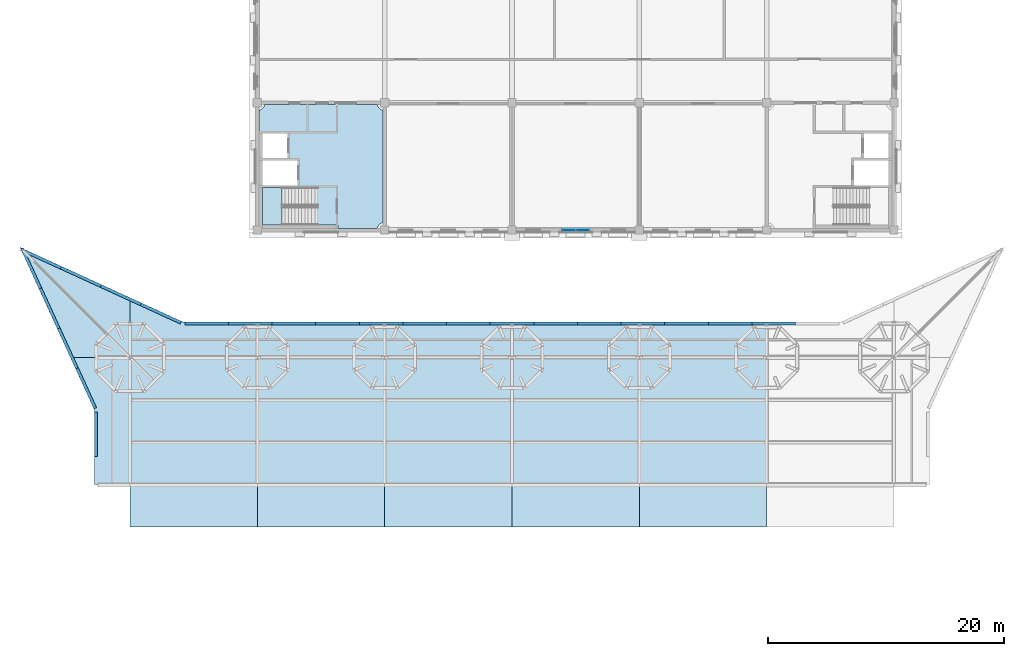
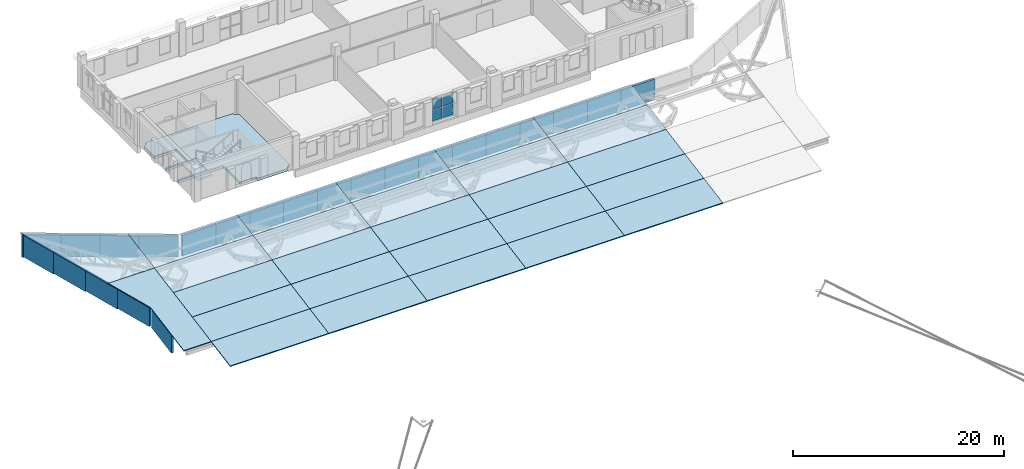
# One storey, part 13 of 32: 29 slabs, 27 plates, 2 elements without a shape of their own.
"""IFC4 building model written with IfcOpenShell, lengths in metres."""

from ifc_helpers import new_model, si_unit, direction, frame, origin, origin_2d, place, context, subcontext, project, spatial, polyline, rectangle, outline, extrude, material, layer, layer_set, type_object, element, aggregate, save


model = new_model("IFC4")

# Units and contexts
model_context = context("Model", 3, precision=1e-05, world=origin(), true_north=direction((0.0, 1.0)))
body_context = subcontext(model_context, "Body", "Model", "MODEL_VIEW")
ifc_project = project(units=[si_unit("LENGTHUNIT", "METRE"), si_unit("AREAUNIT", "SQUARE_METRE"), si_unit("VOLUMEUNIT", "CUBIC_METRE"), si_unit("PLANEANGLEUNIT", "RADIAN"), si_unit("MASSUNIT", "GRAM", prefix="KILO")], contexts=[model_context])

# Site, building, storey
site_placement = place(None, origin())
site = spatial("IfcSite", under=ifc_project, at=site_placement, CompositionType="ELEMENT")
building_placement = place(site_placement, origin())
building = spatial("IfcBuilding", under=site, at=building_placement, Name="Magnolia Steps Interchange", CompositionType="ELEMENT")
storey_placement = place(building_placement, frame((0.0, 0.0, 16.5)))
storey = spatial("IfcBuildingStorey", under=building, at=storey_placement, Name="L04", CompositionType="ELEMENT", Elevation=16.5)

# Slabs
ifc_material_1 = material(Name="Concrete C30", Category="concrete")
ifc_layer_1 = layer(ifc_material_1, 0.10009765625)
ifc_layer_set_1 = layer_set([ifc_layer_1], Name="Composite roof deck 100")
slab_type_1 = type_object("IfcSlabType", Name="Composite roof deck 100", PredefinedType="ROOF", material=ifc_layer_set_1)
slab_1_placement = place(storey_placement, frame((50.199951171875, 74.800048828125, 0.4755859375), z_axis=(2.2810252e-05, -0.179933892042, 0.983678704646), x_axis=(0.99999999974, 4.104337e-06, -2.243796e-05)))
element("IfcSlab", 1, at=slab_1_placement, inside=storey, type_object=slab_type_1, Name="Composite roof deck panel", PredefinedType="ROOF", context=body_context, shape_type="SweptSolid", body=[
    extrude(outline(polyline([(0.0, 0.0), (2.999999999, 0.0), (2.999999998, 10.979252911), (-2.060302735, 10.979252911), (-4e-09, 6.404613497), (0.0, 0.0)])), origin(), (2.243796e-05, -0.179933892089, -0.983678704646), 0.1015625),
])
slab_2_placement = place(storey_placement, frame((48.1396484375, 85.60009765625, 2.451171875), z_axis=(-4.539669e-06, -0.179958437245, 0.983674214791), x_axis=(0.99999999999, -8.16952e-07, 4.465555e-06)))
element("IfcSlab", 2, at=slab_2_placement, inside=storey, type_object=slab_type_1, Name="Composite roof deck panel", PredefinedType="ROOF", context=body_context, shape_type="SweptSolid", body=[
    extrude(outline(polyline([(0.0, 0.0), (5.060302734, 0.0), (5.060302734, 5.144291466), (-4.2734375, 9.488642143), (0.0, 0.0)])), origin(), (-4.465555e-06, -0.179958437247, -0.983674214791), 0.1015625),
])
slab_3_placement = place(storey_placement, frame((64.0, 71.199951171875, -0.182861328125), z_axis=(0.0, -0.179912650592, 0.983682590146), x_axis=(0.0, 0.983682590146, 0.179912650592)))
element("IfcSlab", 3, at=slab_3_placement, inside=storey, type_object=slab_type_1, Name="Composite roof deck panel", PredefinedType="ROOF", context=body_context, shape_type="SweptSolid", body=[
    extrude(outline(polyline([(0.0, 0.0), (3.65981638, 0.0), (3.65981638, 10.800048828), (0.0, 10.800048828), (0.0, 0.0)])), origin(), (-0.179912650592, 0.0, -0.983682590146), 0.1015625),
])
slab_4_placement = place(storey_placement, frame((64.0, 74.800048828125, 0.4755859375), z_axis=(0.0, -0.179989009178, 0.983668621323), x_axis=(0.0, 0.983668621323, 0.179989009178)))
element("IfcSlab", 4, at=slab_4_placement, inside=storey, type_object=slab_type_1, Name="Composite roof deck panel", PredefinedType="ROOF", context=body_context, shape_type="SweptSolid", body=[
    extrude(outline(polyline([(0.0, 0.0), (3.659620158, 0.0), (3.659620158, 10.800048828), (0.0, 10.800048828), (0.0, 0.0)])), origin(), (-0.179989009178, 0.0, -0.983668621323), 0.1015625),
])
for number, where, z_axis, x_axis, name in (
    (5, (64.0, 78.39990234375, 1.13427734375), (0.0, -0.179912650592, 0.983682590146), (0.0, 0.983682590146, 0.179912650592), "Composite roof deck panel"),
    (6, (64.0, 82.0, 1.792724609375), (0.0, -0.179912650592, 0.983682590146), (0.0, 0.983682590146, 0.179912650592), "Composite roof deck panel"),
):
    element("IfcSlab", number, at=place(storey_placement, frame(where, z_axis=z_axis, x_axis=x_axis)), inside=storey, type_object=slab_type_1, Name=name, PredefinedType="ROOF", context=body_context, shape_type="SweptSolid", body=[
        extrude(outline(polyline([(0.0, 0.0), (3.65981638, 0.0), (3.65981638, 10.800048828), (0.0, 10.800048828), (0.0, 0.0)])), origin(), (-0.179912650592, 0.0, -0.983682590146), 0.1015625),
    ])
slab_5_placement = place(storey_placement, frame((53.199951171875, 90.660400390625, 3.376953125), z_axis=(1.424793e-06, -0.179958171072, 0.983674263495), x_axis=(7e-12, -0.983674263496, -0.179958171072)))
element("IfcSlab", 7, at=slab_5_placement, inside=storey, type_object=slab_type_1, Name="Composite roof deck panel", PredefinedType="ROOF", context=body_context, shape_type="SweptSolid", body=[
    extrude(outline(polyline([(0.0, 0.0), (5.144291466, 0.0), (5.144291466, 10.800048828), (2.09450257, 10.800048828), (2.09450257, 4.5), (0.0, 0.0)])), origin(), (0.179958171072, 1.401531e-06, -0.983674263495), 0.1015625),
])
slab_6_placement = place(storey_placement, frame((74.800048828125, 71.199951171875, -0.182861328125), z_axis=(0.0, -0.179912650592, 0.983682590146), x_axis=(0.0, 0.983682590146, 0.179912650592)))
element("IfcSlab", 8, at=slab_6_placement, inside=storey, type_object=slab_type_1, Name="Composite roof deck panel", PredefinedType="ROOF", context=body_context, shape_type="SweptSolid", body=[
    extrude(outline(polyline([(0.0, 0.0), (3.65981638, 0.0), (3.65981638, 10.800048828), (0.0, 10.800048828), (0.0, 0.0)])), origin(), (-0.179912650592, 0.0, -0.983682590146), 0.1015625),
])
slab_7_placement = place(storey_placement, frame((74.800048828125, 74.800048828125, 0.4755859375), z_axis=(0.0, -0.179989009178, 0.983668621323), x_axis=(0.0, 0.983668621323, 0.179989009178)))
element("IfcSlab", 9, at=slab_7_placement, inside=storey, type_object=slab_type_1, Name="Composite roof deck panel", PredefinedType="ROOF", context=body_context, shape_type="SweptSolid", body=[
    extrude(outline(polyline([(0.0, 0.0), (3.659620158, 0.0), (3.659620158, 10.800048828), (0.0, 10.800048828), (0.0, 0.0)])), origin(), (-0.179989009178, 0.0, -0.983668621323), 0.1015625),
])
for number, where, z_axis, x_axis, name in (
    (10, (74.800048828125, 78.39990234375, 1.13427734375), (0.0, -0.179912650592, 0.983682590146), (0.0, 0.983682590146, 0.179912650592), "Composite roof deck panel"),
    (11, (74.800048828125, 82.0, 1.792724609375), (0.0, -0.179912650592, 0.983682590146), (0.0, 0.983682590146, 0.179912650592), "Composite roof deck panel"),
):
    element("IfcSlab", number, at=place(storey_placement, frame(where, z_axis=z_axis, x_axis=x_axis)), inside=storey, type_object=slab_type_1, Name=name, PredefinedType="ROOF", context=body_context, shape_type="SweptSolid", body=[
        extrude(outline(polyline([(0.0, 0.0), (3.65981638, 0.0), (3.65981638, 10.800048828), (0.0, 10.800048828), (0.0, 0.0)])), origin(), (-0.179912650592, 0.0, -0.983682590146), 0.1015625),
    ])
slab_8_placement = place(storey_placement, frame((64.0, 88.60009765625, 3.0), z_axis=(0.0, -0.179956103093, 0.98367464182), x_axis=(0.0, -0.98367464182, -0.179956103093)))
element("IfcSlab", 12, at=slab_8_placement, inside=storey, type_object=slab_type_1, Name="Composite roof deck panel", PredefinedType="ROOF", context=body_context, shape_type="SweptSolid", body=[
    extrude(outline(polyline([(0.0, 0.0), (3.049788896, 0.0), (3.049788896, 10.800048828), (0.0, 10.800048828), (0.0, 0.0)])), origin(), (0.179956103093, 0.0, -0.98367464182), 0.1015625),
])
slab_9_placement = place(storey_placement, frame((85.60009765625, 71.199951171875, -0.182861328125), z_axis=(0.0, -0.179912650592, 0.983682590146), x_axis=(0.0, 0.983682590146, 0.179912650592)))
element("IfcSlab", 13, at=slab_9_placement, inside=storey, type_object=slab_type_1, Name="Composite roof deck panel", PredefinedType="ROOF", context=body_context, shape_type="SweptSolid", body=[
    extrude(outline(polyline([(0.0, 0.0), (3.65981638, 0.0), (3.65981638, 10.800048828), (0.0, 10.800048828), (0.0, 0.0)])), origin(), (-0.179912650592, 0.0, -0.983682590146), 0.1015625),
])
slab_10_placement = place(storey_placement, frame((85.60009765625, 74.800048828125, 0.4755859375), z_axis=(0.0, -0.179989009178, 0.983668621323), x_axis=(0.0, 0.983668621323, 0.179989009178)))
element("IfcSlab", 14, at=slab_10_placement, inside=storey, type_object=slab_type_1, Name="Composite roof deck panel", PredefinedType="ROOF", context=body_context, shape_type="SweptSolid", body=[
    extrude(outline(polyline([(0.0, 0.0), (3.659620158, 0.0), (3.659620158, 10.800048828), (0.0, 10.800048828), (0.0, 0.0)])), origin(), (-0.179989009178, 0.0, -0.983668621323), 0.1015625),
])
for number, where, z_axis, x_axis, name in (
    (15, (85.60009765625, 78.39990234375, 1.13427734375), (0.0, -0.179912650592, 0.983682590146), (0.0, 0.983682590146, 0.179912650592), "Composite roof deck panel"),
    (16, (85.60009765625, 82.0, 1.792724609375), (0.0, -0.179912650592, 0.983682590146), (0.0, 0.983682590146, 0.179912650592), "Composite roof deck panel"),
):
    element("IfcSlab", number, at=place(storey_placement, frame(where, z_axis=z_axis, x_axis=x_axis)), inside=storey, type_object=slab_type_1, Name=name, PredefinedType="ROOF", context=body_context, shape_type="SweptSolid", body=[
        extrude(outline(polyline([(0.0, 0.0), (3.65981638, 0.0), (3.65981638, 10.800048828), (0.0, 10.800048828), (0.0, 0.0)])), origin(), (-0.179912650592, 0.0, -0.983682590146), 0.1015625),
    ])
slab_11_placement = place(storey_placement, frame((74.800048828125, 88.60009765625, 3.0), z_axis=(0.0, -0.179956103093, 0.98367464182), x_axis=(0.0, -0.98367464182, -0.179956103093)))
element("IfcSlab", 17, at=slab_11_placement, inside=storey, type_object=slab_type_1, Name="Composite roof deck panel", PredefinedType="ROOF", context=body_context, shape_type="SweptSolid", body=[
    extrude(outline(polyline([(0.0, 0.0), (3.049788896, 0.0), (3.049788896, 10.800048828), (0.0, 10.800048828), (0.0, 0.0)])), origin(), (0.179956103093, 0.0, -0.98367464182), 0.1015625),
])
slab_12_placement = place(storey_placement, frame((96.39990234375, 71.199951171875, -0.182861328125), z_axis=(0.0, -0.179912650592, 0.983682590146), x_axis=(0.0, 0.983682590146, 0.179912650592)))
element("IfcSlab", 18, at=slab_12_placement, inside=storey, type_object=slab_type_1, Name="Composite roof deck panel", PredefinedType="ROOF", context=body_context, shape_type="SweptSolid", body=[
    extrude(outline(polyline([(0.0, 0.0), (3.65981638, 0.0), (3.65981638, 10.799804688), (0.0, 10.799804688), (0.0, 0.0)])), origin(), (-0.179912650592, 0.0, -0.983682590146), 0.1015625),
])
slab_13_placement = place(storey_placement, frame((96.39990234375, 74.800048828125, 0.4755859375), z_axis=(0.0, -0.179989009178, 0.983668621323), x_axis=(0.0, 0.983668621323, 0.179989009178)))
element("IfcSlab", 19, at=slab_13_placement, inside=storey, type_object=slab_type_1, Name="Composite roof deck panel", PredefinedType="ROOF", context=body_context, shape_type="SweptSolid", body=[
    extrude(outline(polyline([(0.0, 0.0), (3.659620158, 0.0), (3.659620158, 10.799804688), (0.0, 10.799804688), (0.0, 0.0)])), origin(), (-0.179989009178, 0.0, -0.983668621323), 0.1015625),
])
for number, where, z_axis, x_axis, name in (
    (20, (96.39990234375, 78.39990234375, 1.13427734375), (0.0, -0.179912650592, 0.983682590146), (0.0, 0.983682590146, 0.179912650592), "Composite roof deck panel"),
    (21, (96.39990234375, 82.0, 1.792724609375), (0.0, -0.179912650592, 0.983682590146), (0.0, 0.983682590146, 0.179912650592), "Composite roof deck panel"),
):
    element("IfcSlab", number, at=place(storey_placement, frame(where, z_axis=z_axis, x_axis=x_axis)), inside=storey, type_object=slab_type_1, Name=name, PredefinedType="ROOF", context=body_context, shape_type="SweptSolid", body=[
        extrude(outline(polyline([(0.0, 0.0), (3.65981638, 0.0), (3.65981638, 10.799804688), (0.0, 10.799804688), (0.0, 0.0)])), origin(), (-0.179912650592, 0.0, -0.983682590146), 0.1015625),
    ])
slab_14_placement = place(storey_placement, frame((85.60009765625, 88.60009765625, 3.0), z_axis=(0.0, -0.179956103093, 0.98367464182), x_axis=(0.0, -0.98367464182, -0.179956103093)))
element("IfcSlab", 22, at=slab_14_placement, inside=storey, type_object=slab_type_1, Name="Composite roof deck panel", PredefinedType="ROOF", context=body_context, shape_type="SweptSolid", body=[
    extrude(outline(polyline([(0.0, 0.0), (3.049788896, 0.0), (3.049788896, 10.799804688), (0.0, 10.799804688), (0.0, 0.0)])), origin(), (0.179956103093, 0.0, -0.98367464182), 0.1015625),
])
slab_15_placement = place(storey_placement, frame((107.199951171875, 71.199951171875, -0.182861328125), z_axis=(0.0, -0.179912650592, 0.983682590146), x_axis=(0.0, 0.983682590146, 0.179912650592)))
element("IfcSlab", 23, at=slab_15_placement, inside=storey, type_object=slab_type_1, Name="Composite roof deck panel", PredefinedType="ROOF", context=body_context, shape_type="SweptSolid", body=[
    extrude(outline(polyline([(0.0, 0.0), (3.65981638, 0.0), (3.65981638, 10.800048828), (0.0, 10.800048828), (0.0, 0.0)])), origin(), (-0.179912650592, 0.0, -0.983682590146), 0.1015625),
])
slab_16_placement = place(storey_placement, frame((107.199951171875, 74.800048828125, 0.4755859375), z_axis=(0.0, -0.179989009178, 0.983668621323), x_axis=(0.0, 0.983668621323, 0.179989009178)))
element("IfcSlab", 24, at=slab_16_placement, inside=storey, type_object=slab_type_1, Name="Composite roof deck panel", PredefinedType="ROOF", context=body_context, shape_type="SweptSolid", body=[
    extrude(outline(polyline([(0.0, 0.0), (3.659620158, 0.0), (3.659620158, 10.800048828), (0.0, 10.800048828), (0.0, 0.0)])), origin(), (-0.179989009178, 0.0, -0.983668621323), 0.1015625),
])
for number, where, z_axis, x_axis, name in (
    (25, (107.199951171875, 78.39990234375, 1.13427734375), (0.0, -0.179912650592, 0.983682590146), (0.0, 0.983682590146, 0.179912650592), "Composite roof deck panel"),
    (26, (107.199951171875, 82.0, 1.792724609375), (0.0, -0.179912650592, 0.983682590146), (0.0, 0.983682590146, 0.179912650592), "Composite roof deck panel"),
):
    element("IfcSlab", number, at=place(storey_placement, frame(where, z_axis=z_axis, x_axis=x_axis)), inside=storey, type_object=slab_type_1, Name=name, PredefinedType="ROOF", context=body_context, shape_type="SweptSolid", body=[
        extrude(outline(polyline([(0.0, 0.0), (3.65981638, 0.0), (3.65981638, 10.800048828), (0.0, 10.800048828), (0.0, 0.0)])), origin(), (-0.179912650592, 0.0, -0.983682590146), 0.1015625),
    ])
slab_17_placement = place(storey_placement, frame((96.39990234375, 88.60009765625, 3.0), z_axis=(0.0, -0.179956103093, 0.98367464182), x_axis=(0.0, -0.98367464182, -0.179956103093)))
element("IfcSlab", 27, at=slab_17_placement, inside=storey, type_object=slab_type_1, Name="Composite roof deck panel", PredefinedType="ROOF", context=body_context, shape_type="SweptSolid", body=[
    extrude(outline(polyline([(0.0, 0.0), (3.049788896, 0.0), (3.049788896, 10.800048828), (0.0, 10.800048828), (0.0, 0.0)])), origin(), (0.179956103093, 0.0, -0.98367464182), 0.1015625),
])
ifc_material_2 = material(Name="Concrete C35", Category="concrete")
ifc_layer_2 = layer(ifc_material_2, 0.300048828125)
ifc_layer_set_2 = layer_set([ifc_layer_2], Name="Core floor slab 300")
slab_type_2 = type_object("IfcSlabType", Name="Core floor slab 300", PredefinedType="FLOOR", material=ifc_layer_set_2)
slab_18_placement = place(storey_placement, frame((0.0, 0.0, -0.300048828125)))
element("IfcSlab", 28, at=slab_18_placement, inside=storey, type_object=slab_type_2, Name="L04 core floor OC-W", PredefinedType="FLOOR", context=body_context, shape_type="SweptSolid", body=[
    extrude(outline(polyline([(70.85009765625, 96.85009765625), (69.10009765625, 96.85009765625), (69.10009765625, 100.0), (64.14990234375, 100.0), (64.14990234375, 100.199951171875), (67.39990234375, 100.199951171875), (67.39990234375, 102.300048828125), (64.14990234375, 102.300048828125), (64.14990234375, 102.5), (66.550048828125, 102.5), (66.550048828125, 104.60009765625), (64.14990234375, 104.60009765625), (64.14990234375, 106.568359375), (64.188720703125, 106.577880859375), (64.248779296875, 106.599609375), (64.306396484375, 106.626708984375), (64.361083984375, 106.659423828125), (64.412353515625, 106.697509765625), (64.459716796875, 106.740478515625), (64.50244140625, 106.78759765625), (64.54052734375, 106.8388671875), (64.5732421875, 106.8935546875), (64.6005859375, 106.951416015625), (64.6220703125, 107.01123046875), (64.631591796875, 107.050048828125), (74.168212890625, 107.050048828125), (74.177978515625, 107.01123046875), (74.199462890625, 106.951416015625), (74.226806640625, 106.8935546875), (74.259521484375, 106.8388671875), (74.297607421875, 106.78759765625), (74.34033203125, 106.740478515625), (74.3876953125, 106.697509765625), (74.43896484375, 106.659423828125), (74.49365234375, 106.626708984375), (74.55126953125, 106.599609375), (74.611328125, 106.577880859375), (74.64990234375, 106.568359375), (74.64990234375, 97.03173828125), (74.611328125, 97.02197265625), (74.55126953125, 97.00048828125), (74.49365234375, 96.97314453125), (74.43896484375, 96.9404296875), (74.3876953125, 96.902587890625), (74.34033203125, 96.859619140625), (74.297607421875, 96.8125), (74.259521484375, 96.760986328125), (74.226806640625, 96.706298828125), (74.199462890625, 96.648681640625), (74.177978515625, 96.588623046875), (74.168212890625, 96.550048828125), (70.85009765625, 96.550048828125), (70.85009765625, 96.85009765625)])), origin(), (0.0, 0.0, 1.0), 0.300048828125),
])

# Stair, slab
ifc_material_3 = material(Name="Concrete C40", Category="concrete")
stair_type = type_object("IfcStairType", Name="Exit stair 1500", PredefinedType="HALF_TURN_STAIR", material=ifc_material_3)
stair_placement = place(storey_placement, origin())
stair = element("IfcStair", 29, at=stair_placement, inside=storey, type_object=stair_type, Name="L04 Stair 28", PredefinedType="HALF_TURN_STAIR")
ifc_material_4 = material(Name="Concrete C40", Category="concrete")
ifc_layer_3 = layer(ifc_material_4, 0.199951171875)
ifc_layer_set_3 = layer_set([ifc_layer_3], Name="Exit stair landing 200")
slab_type_3 = type_object("IfcSlabType", Name="Exit stair landing 200", PredefinedType="LANDING", material=ifc_layer_set_3)
slab_19_placement = place(storey_placement, frame((0.0, 0.0, 1.75)))
slab_19 = element("IfcSlab", 30, at=slab_19_placement, type_object=slab_type_3, Name="Stair 28 landing 1", PredefinedType="LANDING", context=body_context, shape_type="SweptSolid", body=[
    extrude(outline(polyline([(66.070068359375, 100.0), (64.449951171875, 100.0), (64.449951171875, 96.85009765625), (66.070068359375, 96.85009765625), (66.070068359375, 100.0)])), origin(), (0.0, 0.0, 1.0), 0.199951171875),
])
aggregate(stair, [slab_19])

# Plates
ifc_material_5 = material(Name="White painted steel", Category="steel")
ifc_layer_4 = layer(ifc_material_5, 0.25)
ifc_layer_set_4 = layer_set([ifc_layer_4], Name="Fascia plate 250")
plate_type_1 = type_object("IfcPlateType", Name="Fascia plate 250", PredefinedType="SHEET", material=ifc_layer_set_4)
for number, where, z_axis, x_axis, name in (
    (31, (109.64990234375, 88.60009765625, 0.498291015625), (0.0, 0.999999580956, 0.000915471084), (-1.0, 0.0, 0.0), "Sloping fascia plate"),
    (32, (105.949951171875, 88.60009765625, 0.498291015625), (0.0, 0.999999580956, 0.000915471084), (-1.0, 0.0, 0.0), "Sloping fascia plate"),
    (33, (102.25, 88.60009765625, 0.498291015625), (0.0, 0.999999580956, 0.000915471084), (-1.0, 0.0, 0.0), "Sloping fascia plate"),
    (34, (98.550048828125, 88.60009765625, 0.498291015625), (0.0, 0.999999580956, 0.000915471084), (-1.0, 0.0, 0.0), "Sloping fascia plate"),
):
    element("IfcPlate", number, at=place(storey_placement, frame(where, z_axis=z_axis, x_axis=x_axis)), inside=storey, type_object=plate_type_1, Name=name, PredefinedType="SHEET", context=body_context, shape_type="SweptSolid", body=[
        extrude(outline(polyline([(0.0, 0.0), (3.699951172, 0.0), (3.699951172, 2.40014749), (0.0, 2.40014749), (0.0, 0.0)])), origin(), (0.0, 0.0, -1.0), 0.25),
    ])
plate_1_placement = place(storey_placement, frame((94.85009765625, 88.60009765625, 0.498291015625), z_axis=(0.0, 0.999999580956, 0.000915471084), x_axis=(-1.0, 0.0, 0.0)))
element("IfcPlate", 35, at=plate_1_placement, inside=storey, type_object=plate_type_1, Name="Sloping fascia plate", PredefinedType="SHEET", context=body_context, shape_type="SweptSolid", body=[
    extrude(outline(polyline([(0.0, 0.0), (3.700195312, 0.0), (3.700195312, 2.40014749), (0.0, 2.40014749), (0.0, 0.0)])), origin(), (0.0, 0.0, -1.0), 0.25),
])
for number, where, z_axis, x_axis, name in (
    (36, (91.14990234375, 88.60009765625, 0.498291015625), (0.0, 0.999999580956, 0.000915471084), (-1.0, 0.0, 0.0), "Sloping fascia plate"),
    (37, (87.449951171875, 88.60009765625, 0.498291015625), (0.0, 0.999999580956, 0.000915471084), (-1.0, 0.0, 0.0), "Sloping fascia plate"),
    (38, (83.75, 88.60009765625, 0.498291015625), (0.0, 0.999999580956, 0.000915471084), (-1.0, 0.0, 0.0), "Sloping fascia plate"),
    (39, (80.050048828125, 88.60009765625, 0.498291015625), (0.0, 0.999999580956, 0.000915471084), (-1.0, 0.0, 0.0), "Sloping fascia plate"),
):
    element("IfcPlate", number, at=place(storey_placement, frame(where, z_axis=z_axis, x_axis=x_axis)), inside=storey, type_object=plate_type_1, Name=name, PredefinedType="SHEET", context=body_context, shape_type="SweptSolid", body=[
        extrude(outline(polyline([(0.0, 0.0), (3.699951172, 0.0), (3.699951172, 2.40014749), (0.0, 2.40014749), (0.0, 0.0)])), origin(), (0.0, 0.0, -1.0), 0.25),
    ])
plate_2_placement = place(storey_placement, frame((76.35009765625, 88.60009765625, 0.498291015625), z_axis=(0.0, 0.999999580956, 0.000915471084), x_axis=(-1.0, 0.0, 0.0)))
element("IfcPlate", 40, at=plate_2_placement, inside=storey, type_object=plate_type_1, Name="Sloping fascia plate", PredefinedType="SHEET", context=body_context, shape_type="SweptSolid", body=[
    extrude(outline(polyline([(0.0, 0.0), (3.700195312, 0.0), (3.700195312, 2.40014749), (0.0, 2.40014749), (0.0, 0.0)])), origin(), (0.0, 0.0, -1.0), 0.25),
])
for number, where, z_axis, x_axis, name in (
    (41, (72.64990234375, 88.60009765625, 0.498291015625), (0.0, 0.999999580956, 0.000915471084), (-1.0, 0.0, 0.0), "Sloping fascia plate"),
    (42, (68.949951171875, 88.60009765625, 0.498291015625), (0.0, 0.999999580956, 0.000915471084), (-1.0, 0.0, 0.0), "Sloping fascia plate"),
    (43, (65.25, 88.60009765625, 0.498291015625), (0.0, 0.999999580956, 0.000915471084), (-1.0, 0.0, 0.0), "Sloping fascia plate"),
    (44, (61.550048828125, 88.60009765625, 0.498291015625), (0.0, 0.999999580956, 0.000915471084), (-1.0, 0.0, 0.0), "Sloping fascia plate"),
):
    element("IfcPlate", number, at=place(storey_placement, frame(where, z_axis=z_axis, x_axis=x_axis)), inside=storey, type_object=plate_type_1, Name=name, PredefinedType="SHEET", context=body_context, shape_type="SweptSolid", body=[
        extrude(outline(polyline([(0.0, 0.0), (3.699951172, 0.0), (3.699951172, 2.40014749), (0.0, 2.40014749), (0.0, 0.0)])), origin(), (0.0, 0.0, -1.0), 0.25),
    ])
plate_3_placement = place(storey_placement, frame((57.563720703125, 88.662353515625, 0.509765625), z_axis=(0.416350009492, 0.909204067597, 0.000795651646), x_axis=(-0.906605026744, 0.415093392193, 0.075926288199)))
element("IfcPlate", 45, at=plate_3_placement, inside=storey, type_object=plate_type_1, Name="Sloping fascia plate", PredefinedType="SHEET", context=body_context, shape_type="SweptSolid", body=[
    extrude(outline(polyline([(0.0, 0.0), (3.739621598, 0.0), (3.921791905, 2.392979042), (0.182410182, 2.393205704), (0.0, 0.0)])), origin(), (0.0, 0.0, -1.0), 0.25),
])
plate_4_placement = place(storey_placement, frame((54.17333984375, 90.214599609375, 0.693603515625), z_axis=(0.41634788605, 0.909205067265, 0.000763833308), x_axis=(-0.906600211379, 0.415091212162, 0.075995672989)))
element("IfcPlate", 46, at=plate_4_placement, inside=storey, type_object=plate_type_1, Name="Sloping fascia plate", PredefinedType="SHEET", context=body_context, shape_type="SweptSolid", body=[
    extrude(outline(polyline([(0.0, 0.0), (3.739418805, 0.0), (3.929583955, 2.492757727), (0.189943812, 2.492774519), (0.0, 0.0)])), origin(), (0.0, 0.0, -1.0), 0.25),
])
plate_5_placement = place(storey_placement, frame((50.783203125, 91.766845703125, 0.977783203125), z_axis=(0.416347840579, 0.909205088087, 0.000763833307), x_axis=(-0.90660501599, 0.415093415757, 0.075926287787)))
element("IfcPlate", 47, at=plate_5_placement, inside=storey, type_object=plate_type_1, Name="Sloping fascia plate", PredefinedType="SHEET", context=body_context, shape_type="SweptSolid", body=[
    extrude(outline(polyline([(0.0, 0.0), (3.739621598, 0.0), (3.929391947, 2.49278773), (0.189991688, 2.492770954), (0.0, 0.0)])), origin(), (0.0, 0.0, -1.0), 0.25),
])
plate_6_placement = place(storey_placement, frame((47.392822265625, 93.319091796875, 1.16162109375), z_axis=(0.41632169229, 0.909217050338, 0.000777113033), x_axis=(-0.906617064516, 0.415066285495, 0.075930738)))
element("IfcPlate", 48, at=plate_6_placement, inside=storey, type_object=plate_type_1, Name="Sloping fascia plate", PredefinedType="SHEET", context=body_context, shape_type="SweptSolid", body=[
    extrude(outline(polyline([(0.0, 0.0), (3.739400256, 0.0), (3.936902282, 2.592586645), (0.197382018, 2.592595532), (0.0, 0.0)])), origin(), (0.0, 0.0, -1.0), 0.25),
])
plate_7_placement = place(storey_placement, frame((43.9287109375, 94.79736328125, 1.531982421875), z_axis=(-0.909172158206, -0.416419780926, 0.000743502388), x_axis=(0.410666655915, -0.896904244108, -0.164059972637)))
element("IfcPlate", 49, at=plate_7_placement, inside=storey, type_object=plate_type_1, Name="Sloping fascia plate", PredefinedType="SHEET", context=body_context, shape_type="SweptSolid", body=[
    extrude(outline(polyline([(0.0, 0.0), (3.779820132, 0.0), (3.369715111, 2.466134086), (-0.410105021, 2.466134086), (0.0, 0.0)])), origin(), (0.0, 0.0, -1.0), 0.25),
])
plate_8_placement = place(storey_placement, frame((45.48095703125, 91.4072265625, 1.011962890625), z_axis=(-0.909181334714, -0.416399688757, 0.000774474178), x_axis=(0.410638492088, -0.896907379932, -0.16411331646)))
element("IfcPlate", 50, at=plate_8_placement, inside=storey, type_object=plate_type_1, Name="Sloping fascia plate", PredefinedType="SHEET", context=body_context, shape_type="SweptSolid", body=[
    extrude(outline(polyline([(0.0, 0.0), (3.780079164, 0.0), (3.386228024, 2.367612275), (-0.393811073, 2.367371444), (0.0, 0.0)])), origin(), (0.0, 0.0, -1.0), 0.25),
])
plate_9_placement = place(storey_placement, frame((47.033203125, 88.016845703125, 0.49169921875), z_axis=(-0.909176637897, -0.41640978329, 0.000856435872), x_axis=(0.410639677618, -0.896915795608, -0.16406434943)))
element("IfcPlate", 51, at=plate_9_placement, inside=storey, type_object=plate_type_1, Name="Sloping fascia plate", PredefinedType="SHEET", context=body_context, shape_type="SweptSolid", body=[
    extrude(outline(polyline([(0.0, 0.0), (3.779719877, 0.0), (3.402549027, 2.268666588), (-0.377311159, 2.268890554), (0.0, 0.0)])), origin(), (0.0, 0.0, -1.0), 0.25),
])
plate_10_placement = place(storey_placement, frame((48.585205078125, 84.626708984375, -0.028564453125), z_axis=(-0.909153207197, -0.416460805316, 0.000918411127), x_axis=(0.410682068323, -0.896899723942, -0.164046103123)))
element("IfcPlate", 52, at=plate_10_placement, inside=storey, type_object=plate_type_1, Name="Sloping fascia plate", PredefinedType="SHEET", context=body_context, shape_type="SweptSolid", body=[
    extrude(outline(polyline([(0.0, 0.0), (3.780139365, 0.0), (3.419031869, 2.170360491), (-0.360748212, 2.170172858), (0.0, 0.0)])), origin(), (0.0, 0.0, -1.0), 0.25),
])
plate_11_placement = place(storey_placement, frame((50.199951171875, 80.949951171875, -0.60107421875), z_axis=(-0.999999553009, -0.000170153121, 0.000930069921), x_axis=(2.965e-08, -0.983679608708, -0.179928951012)))
element("IfcPlate", 53, at=plate_11_placement, inside=storey, type_object=plate_type_1, Name="Sloping fascia plate", PredefinedType="SHEET", context=body_context, shape_type="SweptSolid", body=[
    extrude(outline(polyline([(0.0, 0.0), (3.829093873, 0.0), (3.451269432, 2.065584008), (-0.377868368, 2.065824164), (0.0, 0.0)])), origin(), (0.0, 0.0, -1.0), 0.25),
])

# Curtain wall, plates
ifc_material_6 = material(Name="Powder-coated aluminium and glass", Category="aluminium")
ifc_layer_5 = layer(ifc_material_6, 0.199951171875)
ifc_layer_set_5 = layer_set([ifc_layer_5], Name="Glazed central bay curtain wall")
curtain_wall_type = type_object("IfcCurtainWallType", Name="Glazed central bay curtain wall", PredefinedType="NOTDEFINED", material=ifc_layer_set_5)
curtain_wall_placement = place(storey_placement, origin())
curtain_wall = element("IfcCurtainWall", 54, at=curtain_wall_placement, inside=storey, type_object=curtain_wall_type, Name="Operations building south wall L04 glazing 2", PredefinedType="NOTDEFINED")
ifc_material_7 = material(Name="Laminated glass", Category="glass")
ifc_layer_6 = layer(ifc_material_7, 0.028076171875)
ifc_layer_set_6 = layer_set([ifc_layer_6], Name="Glass panel 28")
plate_type_2 = type_object("IfcPlateType", Name="Glass panel 28", PredefinedType="CURTAIN_PANEL", material=ifc_layer_set_6)
plate_12_placement = place(storey_placement, frame((90.4150390625, 96.39990234375, 0.06005859375), z_axis=(0.0, 0.0, 1.0), x_axis=(1.0, 0.0, 0.0)))
plate_12 = element("IfcPlate", 55, at=plate_12_placement, type_object=plate_type_2, Name="CW2 panel 1.1", PredefinedType="CURTAIN_PANEL", context=body_context, shape_type="SweptSolid", body=[
    extrude(rectangle(XDim=1.110107421875, YDim=0.028076171875, at=origin_2d()), origin(), (0.0, 0.0, 1.0), 1.260009765625),
])
plate_13_placement = place(storey_placement, frame((90.4150390625, 96.39990234375, 1.3798828125), z_axis=(0.0, 0.0, 1.0), x_axis=(1.0, 0.0, 0.0)))
plate_13 = element("IfcPlate", 56, at=plate_13_placement, type_object=plate_type_2, Name="CW2 panel 1.2", PredefinedType="CURTAIN_PANEL", context=body_context, shape_type="SweptSolid", body=[
    extrude(rectangle(XDim=1.110107421875, YDim=0.028076171875, at=origin_2d()), origin(), (0.0, 0.0, 1.0), 1.260009765625),
])
plate_14_placement = place(storey_placement, frame((91.5849609375, 96.39990234375, 0.06005859375), z_axis=(0.0, 0.0, 1.0), x_axis=(1.0, 0.0, 0.0)))
plate_14 = element("IfcPlate", 57, at=plate_14_placement, type_object=plate_type_2, Name="CW2 panel 2.1", PredefinedType="CURTAIN_PANEL", context=body_context, shape_type="SweptSolid", body=[
    extrude(rectangle(XDim=1.110107421875, YDim=0.028076171875, at=origin_2d()), origin(), (0.0, 0.0, 1.0), 1.260009765625),
])
plate_15_placement = place(storey_placement, frame((91.5849609375, 96.39990234375, 1.3798828125), z_axis=(0.0, 0.0, 1.0), x_axis=(1.0, 0.0, 0.0)))
plate_15 = element("IfcPlate", 58, at=plate_15_placement, type_object=plate_type_2, Name="CW2 panel 2.2", PredefinedType="CURTAIN_PANEL", context=body_context, shape_type="SweptSolid", body=[
    extrude(rectangle(XDim=1.110107421875, YDim=0.028076171875, at=origin_2d()), origin(), (0.0, 0.0, 1.0), 1.260009765625),
])
aggregate(curtain_wall, [plate_12, plate_13, plate_14, plate_15])

save(model, "model.ifc")
